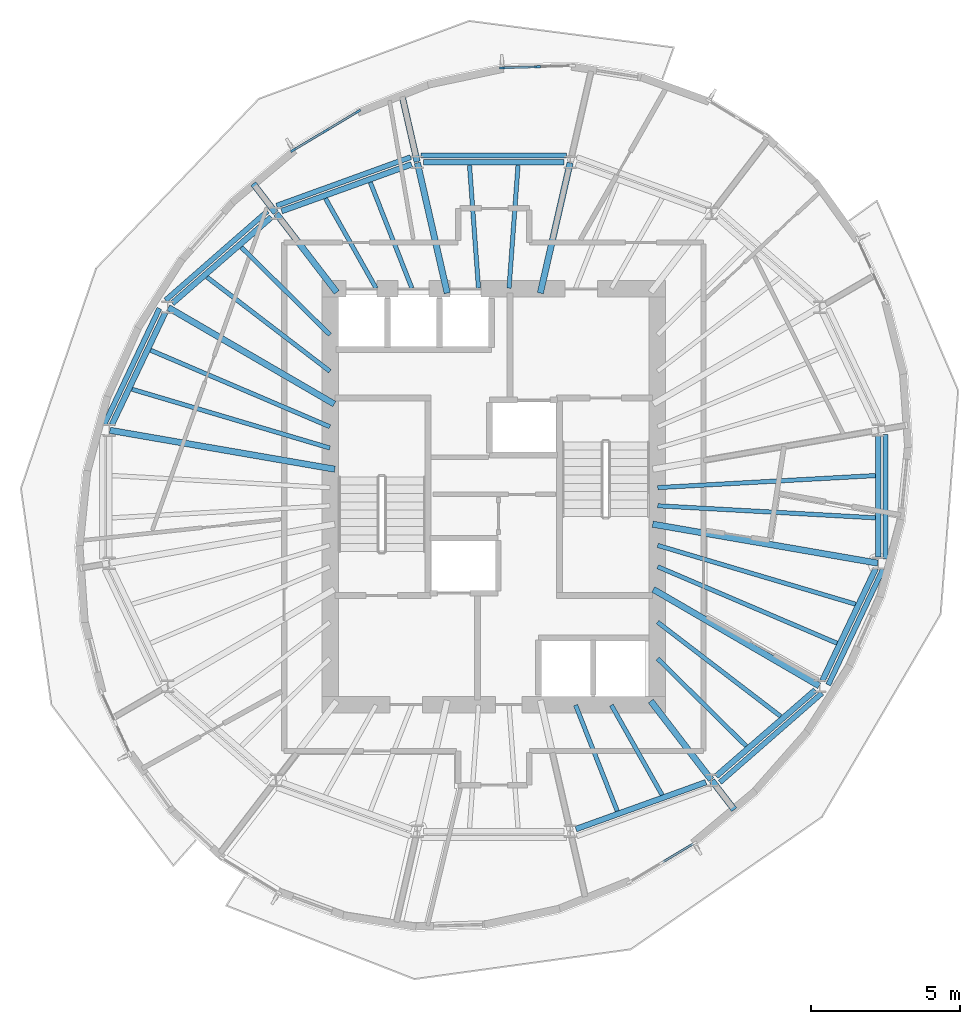
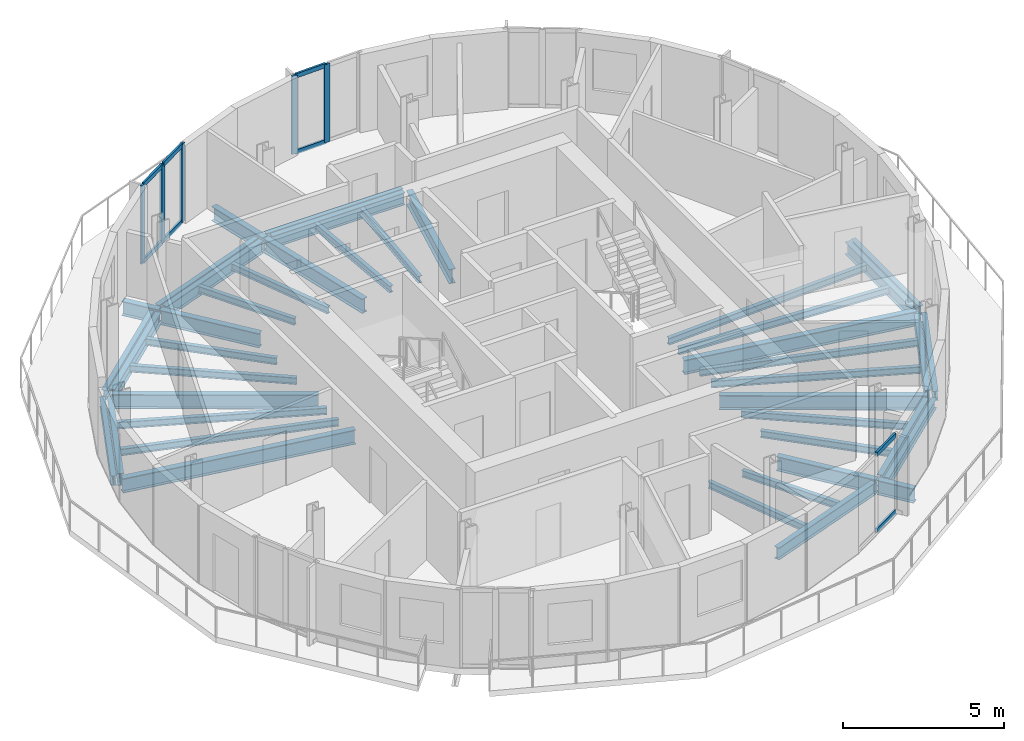
# One storey, part 2 of 11: 42 beams, 13 members, 3 elements without a shape of their own.
"""IFC4 building model written with IfcOpenShell, lengths in metres."""

import ifcopenshell
import ifcopenshell.guid

model = None  # the IFC model being written
_history = None  # IfcOwnerHistory: only IFC2X3 demands one
_inside = {}  # id of a spatial element -> (the spatial element, [elements in it])
_under = {}  # id of a project, library or spatial element -> (it, [spatial elements below it])
_declared = {}  # id of a project -> (the project, [libraries it declares])
_typed = {}  # id of a type object -> (the type object, [elements of that type])
_made_of = {}  # id of a material, layer set ... -> (it, [elements and type objects made of it])


def new_model(schema):
    """Start an empty IFC model of exactly this schema.

    Asked for "IFC4X3", IfcOpenShell would pick the latest addendum, in which some entities
    have other attributes; the version numbers below select the first issue.
    IFC2X3 requires an IfcOwnerHistory on every rooted entity: one is made here for all.
    """
    global model, _history
    if schema == "IFC4X3":
        model = ifcopenshell.file(schema_version=(4, 3, 0, 0))
    else:
        model = ifcopenshell.file(schema=schema)
    _inside.clear()
    _under.clear()
    _declared.clear()
    _typed.clear()
    _made_of.clear()
    _history = None
    if model.schema == "IFC2X3":
        org = make("IfcOrganization", Name="unknown")
        user = make(
            "IfcPersonAndOrganization",
            ThePerson=make("IfcPerson", FamilyName="unknown"),
            TheOrganization=org,
        )
        app = make(
            "IfcApplication",
            ApplicationDeveloper=org,
            Version="unknown",
            ApplicationFullName="unknown",
            ApplicationIdentifier="unknown",
        )
        _history = make(
            "IfcOwnerHistory",
            OwningUser=user,
            OwningApplication=app,
            ChangeAction="ADDED",
            CreationDate=0,
        )
    return model


def make(cls, **values):
    """One entity of the class cls with the attributes given. An attribute that is None is left unset."""
    return model.create_entity(
        cls, **{name: value for name, value in values.items() if value is not None}
    )


def rooted(cls, **values):
    """An entity with a GlobalId (a new one), such as an element, a storey or a relation."""
    return make(cls, GlobalId=ifcopenshell.guid.new(), OwnerHistory=_history, **values)


def si_unit(unit_type, name, prefix=None):
    """IfcSIUnit, for example si_unit("LENGTHUNIT", "METRE", prefix="MILLI")."""
    return make("IfcSIUnit", UnitType=unit_type, Prefix=prefix, Name=name)


def assignment(units):
    """IfcUnitAssignment: the units of a project."""
    return None if units is None else make("IfcUnitAssignment", Units=units)


def point(xyz):
    """IfcCartesianPoint."""
    return None if xyz is None else make("IfcCartesianPoint", Coordinates=xyz)


def direction(xyz):
    """IfcDirection."""
    return None if xyz is None else make("IfcDirection", DirectionRatios=xyz)


def frame(location, z_axis=None, x_axis=None):
    """IfcAxis2Placement3D, a coordinate frame: its origin and axes. An axis left out is left unset."""
    return make(
        "IfcAxis2Placement3D",
        Location=point(location),
        Axis=direction(z_axis),
        RefDirection=direction(x_axis),
    )


def frame_2d(location, x_axis=None):
    """IfcAxis2Placement2D, a coordinate frame in the plane: its origin and x axis."""
    return make(
        "IfcAxis2Placement2D", Location=point(location), RefDirection=direction(x_axis)
    )


def origin():
    """The frame at (0, 0, 0) with its axes left unset."""
    return frame((0.0, 0.0, 0.0))


def origin_2d():
    """The frame at (0, 0) in the plane with its x axis left unset."""
    return frame_2d((0.0, 0.0))


def place(relative_to, where):
    """IfcLocalPlacement: puts the frame where relative to a parent placement (None: the world)."""
    return make(
        "IfcLocalPlacement", PlacementRelTo=relative_to, RelativePlacement=where
    )


def context(
    kind, dimensions, precision=None, world=None, true_north=None, identifier=None
):
    """IfcGeometricRepresentationContext, for example the 3D "Model" context."""
    return make(
        "IfcGeometricRepresentationContext",
        ContextIdentifier=identifier,
        ContextType=kind,
        CoordinateSpaceDimension=dimensions,
        Precision=precision,
        WorldCoordinateSystem=world,
        TrueNorth=true_north,
    )


def subcontext(parent, identifier, kind, view, scale=None):
    """IfcGeometricRepresentationSubContext, for example "Body" below "Model"."""
    return make(
        "IfcGeometricRepresentationSubContext",
        ContextIdentifier=identifier,
        ContextType=kind,
        ParentContext=parent,
        TargetScale=scale,
        TargetView=view,
    )


def project(units=None, contexts=None):
    """IfcProject with its units and contexts."""
    return rooted(
        "IfcProject",
        Name="project",
        RepresentationContexts=contexts,
        UnitsInContext=assignment(units),
    )


def spatial(cls, under=None, at=None, **own):
    """A site, building, storey or space (cls), placed at a placement, below another one or the project."""
    s = rooted(cls, ObjectPlacement=at, **own)
    if under is not None:
        _under.setdefault(under.id(), (under, []))[1].append(s)
    return s


def profile(cls, at=None, kind="AREA", **sizes):
    """A parametric profile (cls). Its sizes go by their IFC names, for example OverallWidth=200.0."""
    return make(cls, ProfileType=kind, Position=at, **sizes)


def rectangle(**sizes):
    """IfcRectangleProfileDef."""
    return profile("IfcRectangleProfileDef", **sizes)


def i_section(**sizes):
    """IfcIShapeProfileDef."""
    return profile("IfcIShapeProfileDef", **sizes)


def extrude(swept, where, along, depth):
    """IfcExtrudedAreaSolid: the profile swept, set in the frame where, extruded along a direction by depth."""
    return make(
        "IfcExtrudedAreaSolid",
        SweptArea=swept,
        Position=where,
        ExtrudedDirection=direction(along),
        Depth=depth,
    )


def shape(context_of_items, identifier, shape_type, items):
    """IfcShapeRepresentation: the items that make up one representation, for example the "Body"."""
    return make(
        "IfcShapeRepresentation",
        ContextOfItems=context_of_items,
        RepresentationIdentifier=identifier,
        RepresentationType=shape_type,
        Items=items,
    )


def material(Name=None, Category=None):
    """IfcMaterial."""
    return make("IfcMaterial", Name=Name, Category=Category)


def material_profile(
    of_material, cross_section, Name=None, Category=None, Priority=None
):
    """IfcMaterialProfile: a cross section and its material."""
    return make(
        "IfcMaterialProfile",
        Name=Name,
        Material=of_material,
        Profile=cross_section,
        Priority=Priority,
        Category=Category,
    )


def profile_set(profiles, Name=None, composite=None):
    """IfcMaterialProfileSet."""
    return make(
        "IfcMaterialProfileSet",
        Name=Name,
        MaterialProfiles=profiles,
        CompositeProfile=composite,
    )


def made_of(thing, what):
    """Note that an element or type object is made of a material, layer set ...; save() writes the relation."""
    if what is not None:
        _made_of.setdefault(what.id(), (what, []))[1].append(thing)
    return thing


def type_object(cls, material=None, **own):
    """A type object (cls), such as IfcWallType, which elements share."""
    return made_of(rooted(cls, **own), material)


def element(
    cls,
    number,
    at=None,
    inside=None,
    cuts=None,
    type_object=None,
    material=None,
    context=None,
    identifier="Body",
    shape_type=None,
    held_by="IfcProductDefinitionShape",
    body=None,
    shapes=None,
    **own,
):
    """One element of the class cls, such as IfcWall. Its Tag is "e" and its number.

    at: its placement. inside: the storey or other place that contains it. cuts: it is an
    opening in that element (IfcRelVoidsElement). A single representation is given by context,
    identifier, shape_type and body (its items); several are given by shapes. held_by: the class
    of the entity that holds the representations. save() writes the other relations.
    """
    e = rooted(cls, Tag="e%d" % number, ObjectPlacement=at, **own)
    if body is not None:
        shapes = [shape(context, identifier, shape_type, body)]
    if shapes is not None:
        e.Representation = make(held_by, Representations=shapes)
    if inside is not None:
        _inside.setdefault(inside.id(), (inside, []))[1].append(e)
    if cuts is not None:
        rooted(
            "IfcRelVoidsElement", RelatingBuildingElement=cuts, RelatedOpeningElement=e
        )
    if type_object is not None:
        _typed.setdefault(type_object.id(), (type_object, []))[1].append(e)
    return made_of(e, material)


def aggregate(whole, parts):
    """IfcRelAggregates: a whole, such as a stair, and the parts it consists of."""
    return rooted("IfcRelAggregates", RelatingObject=whole, RelatedObjects=parts)


def save(model, path):
    """Write the relations noted so far, then the file.

    IfcRelAggregates (storeys below a building ...), IfcRelContainedInSpatialStructure (elements
    in a storey), IfcRelDefinesByType, IfcRelAssociatesMaterial and IfcRelDeclares: one each for
    every whole, place, type object, material and project.
    """
    for whole, parts in _under.values():
        aggregate(whole, parts)
    for where, things in _inside.values():
        rooted(
            "IfcRelContainedInSpatialStructure",
            RelatedElements=things,
            RelatingStructure=where,
        )
    for kind, things in _typed.values():
        rooted("IfcRelDefinesByType", RelatedObjects=things, RelatingType=kind)
    for what, things in _made_of.values():
        rooted("IfcRelAssociatesMaterial", RelatedObjects=things, RelatingMaterial=what)
    for by, libraries in _declared.values():
        rooted("IfcRelDeclares", RelatingContext=by, RelatedDefinitions=libraries)
    model.write(path)


model = new_model("IFC4")

# Units and contexts
model_context = context("Model", 3, precision=1e-05, world=origin(), true_north=direction((0.0, 1.0)))
body_context = subcontext(model_context, "Body", "Model", "MODEL_VIEW")
ifc_project = project(units=[si_unit("LENGTHUNIT", "METRE"), si_unit("AREAUNIT", "SQUARE_METRE"), si_unit("VOLUMEUNIT", "CUBIC_METRE"), si_unit("PLANEANGLEUNIT", "RADIAN"), si_unit("MASSUNIT", "GRAM", prefix="KILO")], contexts=[model_context])

# Site, building, storey
site_placement = place(None, origin())
site = spatial("IfcSite", under=ifc_project, at=site_placement, CompositionType="ELEMENT")
building_placement = place(site_placement, origin())
building = spatial("IfcBuilding", under=site, at=building_placement, Name="Veldorim Arch Residences", CompositionType="ELEMENT")
storey_placement = place(building_placement, frame((0.0, 0.0, 214.239990234375)))
storey = spatial("IfcBuildingStorey", under=building, at=storey_placement, Name="L64", CompositionType="ELEMENT", Elevation=214.239990234375)

# Beams
ifc_material_1 = material(Name="Steel S355", Category="steel")
ifc_material_profile_1 = material_profile(ifc_material_1, i_section(OverallWidth=0.2119140625, OverallDepth=0.54443359375, WebThickness=0.0126953125, FlangeThickness=0.021240234375, at=origin_2d()), Name="UB533x210x122")
ifc_profile_set_1 = profile_set([ifc_material_profile_1], Name="Steel S355")
beam_type_1 = type_object("IfcBeamType", Name="Structural Steel Beam UB533x210x122", PredefinedType="BEAM", material=ifc_profile_set_1)
for number, where, z_axis, x_axis, name in (
    (1, (33.567626953125, 30.853759765625, -0.51220703125), (0.222952976993, 0.97482920045, 0.0), (-0.97482920045, 0.222952976993, 0.0), "L64 radial floor girder 04"),
    (2, (30.432373046875, 30.853759765625, -0.51220703125), (-0.222952976993, 0.97482920045, 0.0), (-0.97482920045, -0.222952976993, 0.0), "L64 radial floor girder 05"),
):
    element("IfcBeam", number, at=place(storey_placement, frame(where, z_axis=z_axis, x_axis=x_axis)), inside=storey, type_object=beam_type_1, Name=name, PredefinedType="BEAM", context=body_context, shape_type="SweptSolid", body=[
        extrude(i_section(OverallWidth=0.2119140625, OverallDepth=0.54443359375, WebThickness=0.0126953125, FlangeThickness=0.021240234375, at=origin_2d()), origin(), (0.0, 0.0, 1.0), 4.49951171875),
    ])
beam_1_placement = place(storey_placement, frame((29.42041015625, 35.27880859375, -0.51220703125), z_axis=(-0.222989981251, 0.974820736475, 0.0), x_axis=(-0.974820736475, -0.222989981251, 0.0)))
element("IfcBeam", 3, at=beam_1_placement, inside=storey, type_object=beam_type_1, Name="L64 radial edge cantilever girder 05", PredefinedType="BEAM", context=body_context, shape_type="SweptSolid", body=[
    extrude(i_section(OverallWidth=0.2119140625, OverallDepth=0.54443359375, WebThickness=0.0126953125, FlangeThickness=0.021240234375, at=origin_2d()), origin(), (0.0, 0.0, 1.0), 2.32763671875),
])
beam_2_placement = place(storey_placement, frame((26.71337890625, 30.881103515625, -0.51220703125), z_axis=(-0.609258442308, 0.792971721108, 0.0), x_axis=(-0.792971721108, -0.609258442308, 0.0)))
element("IfcBeam", 4, at=beam_2_placement, inside=storey, type_object=beam_type_1, Name="L64 radial floor girder 06", PredefinedType="BEAM", context=body_context, shape_type="SweptSolid", body=[
    extrude(i_section(OverallWidth=0.2119140625, OverallDepth=0.54443359375, WebThickness=0.0126953125, FlangeThickness=0.021240234375, at=origin_2d()), origin(), (0.0, 0.0, 1.0), 3.339599609375),
])
beam_3_placement = place(storey_placement, frame((24.654296875, 33.561279296875, -0.51220703125), z_axis=(-0.609308621958, 0.792933164401, 0.0), x_axis=(-0.792933164401, -0.609308621958, 0.0)))
element("IfcBeam", 5, at=beam_3_placement, inside=storey, type_object=beam_type_1, Name="L64 radial edge cantilever girder 06", PredefinedType="BEAM", context=body_context, shape_type="SweptSolid", body=[
    extrude(i_section(OverallWidth=0.2119140625, OverallDepth=0.54443359375, WebThickness=0.0126953125, FlangeThickness=0.021240234375, at=origin_2d()), origin(), (0.0, 0.0, 1.0), 1.232421875),
])
beam_4_placement = place(storey_placement, frame((26.629638671875, 27.12060546875, -0.51220703125), z_axis=(-0.864595736304, 0.502468121142, 0.0), x_axis=(-0.502468121142, -0.864595736304, 0.0)))
element("IfcBeam", 6, at=beam_4_placement, inside=storey, type_object=beam_type_1, Name="L64 radial floor girder 07", PredefinedType="BEAM", context=body_context, shape_type="SweptSolid", body=[
    extrude(i_section(OverallWidth=0.2119140625, OverallDepth=0.54443359375, WebThickness=0.0126953125, FlangeThickness=0.021240234375, at=origin_2d()), origin(), (0.0, 0.0, 1.0), 6.462646484375),
])
beam_5_placement = place(storey_placement, frame((26.647705078125, 24.92578125, -0.51220703125), z_axis=(-0.985364974081, 0.170457818401, 0.0), x_axis=(-0.170457818401, -0.985364974081, 0.0)))
element("IfcBeam", 7, at=beam_5_placement, inside=storey, type_object=beam_type_1, Name="L64 radial floor girder 08", PredefinedType="BEAM", context=body_context, shape_type="SweptSolid", body=[
    extrude(i_section(OverallWidth=0.2119140625, OverallDepth=0.54443359375, WebThickness=0.0126953125, FlangeThickness=0.021240234375, at=origin_2d()), origin(), (0.0, 0.0, 1.0), 7.68701171875),
])
beam_6_placement = place(storey_placement, frame((37.28662109375, 17.118896484375, -0.51220703125), z_axis=(0.609258442308, -0.792971721108, 0.0), x_axis=(0.792971721108, 0.609258442308, 0.0)))
element("IfcBeam", 8, at=beam_6_placement, inside=storey, type_object=beam_type_1, Name="L64 radial floor girder 14", PredefinedType="BEAM", context=body_context, shape_type="SweptSolid", body=[
    extrude(i_section(OverallWidth=0.2119140625, OverallDepth=0.54443359375, WebThickness=0.0126953125, FlangeThickness=0.021240234375, at=origin_2d()), origin(), (0.0, 0.0, 1.0), 3.339599609375),
])
beam_7_placement = place(storey_placement, frame((39.345703125, 14.438720703125, -0.51220703125), z_axis=(0.609308621958, -0.792933164401, 0.0), x_axis=(0.792933164401, 0.609308621958, 0.0)))
element("IfcBeam", 9, at=beam_7_placement, inside=storey, type_object=beam_type_1, Name="L64 radial edge cantilever girder 14", PredefinedType="BEAM", context=body_context, shape_type="SweptSolid", body=[
    extrude(i_section(OverallWidth=0.2119140625, OverallDepth=0.54443359375, WebThickness=0.0126953125, FlangeThickness=0.021240234375, at=origin_2d()), origin(), (0.0, 0.0, 1.0), 1.232421875),
])
beam_8_placement = place(storey_placement, frame((37.370361328125, 20.87939453125, -0.51220703125), z_axis=(0.864595736304, -0.502468121142, 0.0), x_axis=(0.502468121142, 0.864595736304, 0.0)))
element("IfcBeam", 10, at=beam_8_placement, inside=storey, type_object=beam_type_1, Name="L64 radial floor girder 15", PredefinedType="BEAM", context=body_context, shape_type="SweptSolid", body=[
    extrude(i_section(OverallWidth=0.2119140625, OverallDepth=0.54443359375, WebThickness=0.0126953125, FlangeThickness=0.021240234375, at=origin_2d()), origin(), (0.0, 0.0, 1.0), 6.462646484375),
])
beam_9_placement = place(storey_placement, frame((37.352294921875, 23.07421875, -0.51220703125), z_axis=(0.985364974081, -0.170457818401, 0.0), x_axis=(0.170457818401, 0.985364974081, 0.0)))
element("IfcBeam", 11, at=beam_9_placement, inside=storey, type_object=beam_type_1, Name="L64 radial floor girder 16", PredefinedType="BEAM", context=body_context, shape_type="SweptSolid", body=[
    extrude(i_section(OverallWidth=0.2119140625, OverallDepth=0.54443359375, WebThickness=0.0126953125, FlangeThickness=0.021240234375, at=origin_2d()), origin(), (0.0, 0.0, 1.0), 7.68701171875),
])
ifc_material_2 = material(Name="Steel S355", Category="steel")
ifc_material_profile_2 = material_profile(ifc_material_2, i_section(OverallWidth=0.146484375, OverallDepth=0.256103515625, WebThickness=0.00634765625, FlangeThickness=0.010986328125, at=origin_2d()), Name="UB254x146x37")
ifc_profile_set_2 = profile_set([ifc_material_profile_2], Name="Steel S355")
beam_type_2 = type_object("IfcBeamType", Name="Structural Steel Joist UB254x146x37", PredefinedType="JOIST", material=ifc_profile_set_2)
for number, where, z_axis, x_axis, name in (
    (12, (32.513916015625, 31.02001953125, -0.367919921875), (0.072985625899, 0.997332992742, 0.0), (-0.997332992742, 0.072985625899, 0.0), "L64 secondary radial floor joist 04-1"),
    (13, (31.486083984375, 31.02001953125, -0.367919921875), (-0.072985625899, 0.997332992742, 0.0), (-0.997332992742, -0.072985625899, 0.0), "L64 secondary radial floor joist 04-2"),
):
    element("IfcBeam", number, at=place(storey_placement, frame(where, z_axis=z_axis, x_axis=x_axis)), inside=storey, type_object=beam_type_2, Name=name, PredefinedType="JOIST", context=body_context, shape_type="SweptSolid", body=[
        extrude(i_section(OverallWidth=0.146484375, OverallDepth=0.256103515625, WebThickness=0.00634765625, FlangeThickness=0.010986328125, at=origin_2d()), origin(), (0.0, 0.0, 1.0), 4.151123046875),
    ])
beam_10_placement = place(storey_placement, frame((29.24365234375, 31.0185546875, -0.367919921875), z_axis=(-0.365581383042, 0.930779379001, 0.0), x_axis=(-0.930779379001, -0.365581383042, 0.0)))
element("IfcBeam", 14, at=beam_10_placement, inside=storey, type_object=beam_type_2, Name="L64 secondary radial floor joist 05-1", PredefinedType="JOIST", context=body_context, shape_type="SweptSolid", body=[
    extrude(i_section(OverallWidth=0.146484375, OverallDepth=0.256103515625, WebThickness=0.00634765625, FlangeThickness=0.010986328125, at=origin_2d()), origin(), (0.0, 0.0, 1.0), 3.83056640625),
])
beam_11_placement = place(storey_placement, frame((28.039794921875, 31.017333984375, -0.367919921875), z_axis=(-0.491452469585, 0.870904397818, 0.0), x_axis=(-0.870904397818, -0.491452469585, 0.0)))
element("IfcBeam", 15, at=beam_11_placement, inside=storey, type_object=beam_type_2, Name="L64 secondary radial floor joist 05-2", PredefinedType="JOIST", context=body_context, shape_type="SweptSolid", body=[
    extrude(i_section(OverallWidth=0.146484375, OverallDepth=0.256103515625, WebThickness=0.00634765625, FlangeThickness=0.010986328125, at=origin_2d()), origin(), (0.0, 0.0, 1.0), 3.472412109375),
])
beam_12_placement = place(storey_placement, frame((26.48583984375, 29.44775390625, -0.367919921875), z_axis=(-0.711396725432, 0.702790650937, 0.0), x_axis=(-0.702790650937, -0.711396725432, 0.0)))
element("IfcBeam", 16, at=beam_12_placement, inside=storey, type_object=beam_type_2, Name="L64 secondary radial floor joist 06-1", PredefinedType="JOIST", context=body_context, shape_type="SweptSolid", body=[
    extrude(i_section(OverallWidth=0.146484375, OverallDepth=0.256103515625, WebThickness=0.00634765625, FlangeThickness=0.010986328125, at=origin_2d()), origin(), (0.0, 0.0, 1.0), 4.198486328125),
])
beam_13_placement = place(storey_placement, frame((26.484130859375, 28.222900390625, -0.367919921875), z_axis=(-0.794013672216, 0.607899899929, 0.0), x_axis=(-0.607899899929, -0.794013672216, 0.0)))
element("IfcBeam", 17, at=beam_13_placement, inside=storey, type_object=beam_type_2, Name="L64 secondary radial floor joist 06-2", PredefinedType="JOIST", context=body_context, shape_type="SweptSolid", body=[
    extrude(i_section(OverallWidth=0.146484375, OverallDepth=0.256103515625, WebThickness=0.00634765625, FlangeThickness=0.010986328125, at=origin_2d()), origin(), (0.0, 0.0, 1.0), 5.217041015625),
])
beam_14_placement = place(storey_placement, frame((26.481689453125, 26.355712890625, -0.367919921875), z_axis=(-0.919725161652, 0.392562895629, 0.0), x_axis=(-0.392562895629, -0.919725161652, 0.0)))
element("IfcBeam", 18, at=beam_14_placement, inside=storey, type_object=beam_type_2, Name="L64 secondary radial floor joist 07-1", PredefinedType="JOIST", context=body_context, shape_type="SweptSolid", body=[
    extrude(i_section(OverallWidth=0.146484375, OverallDepth=0.256103515625, WebThickness=0.00634765625, FlangeThickness=0.010986328125, at=origin_2d()), origin(), (0.0, 0.0, 1.0), 6.5625),
])
beam_15_placement = place(storey_placement, frame((26.480712890625, 25.639404296875, -0.367919921875), z_axis=(-0.958594432792, 0.284774846889, 0.0), x_axis=(-0.284774846889, -0.958594432792, 0.0)))
element("IfcBeam", 19, at=beam_15_placement, inside=storey, type_object=beam_type_2, Name="L64 secondary radial floor joist 07-2", PredefinedType="JOIST", context=body_context, shape_type="SweptSolid", body=[
    extrude(i_section(OverallWidth=0.146484375, OverallDepth=0.256103515625, WebThickness=0.00634765625, FlangeThickness=0.010986328125, at=origin_2d()), origin(), (0.0, 0.0, 1.0), 6.949462890625),
])
beam_16_placement = place(storey_placement, frame((34.75634765625, 16.9814453125, -0.367919921875), z_axis=(0.365581383042, -0.930779379001, 0.0), x_axis=(0.930779379001, 0.365581383042, 0.0)))
element("IfcBeam", 20, at=beam_16_placement, inside=storey, type_object=beam_type_2, Name="L64 secondary radial floor joist 13-1", PredefinedType="JOIST", context=body_context, shape_type="SweptSolid", body=[
    extrude(i_section(OverallWidth=0.146484375, OverallDepth=0.256103515625, WebThickness=0.00634765625, FlangeThickness=0.010986328125, at=origin_2d()), origin(), (0.0, 0.0, 1.0), 3.83056640625),
])
beam_17_placement = place(storey_placement, frame((35.960205078125, 16.982666015625, -0.367919921875), z_axis=(0.491452469585, -0.870904397818, 0.0), x_axis=(0.870904397818, 0.491452469585, 0.0)))
element("IfcBeam", 21, at=beam_17_placement, inside=storey, type_object=beam_type_2, Name="L64 secondary radial floor joist 13-2", PredefinedType="JOIST", context=body_context, shape_type="SweptSolid", body=[
    extrude(i_section(OverallWidth=0.146484375, OverallDepth=0.256103515625, WebThickness=0.00634765625, FlangeThickness=0.010986328125, at=origin_2d()), origin(), (0.0, 0.0, 1.0), 3.472412109375),
])
beam_18_placement = place(storey_placement, frame((37.51416015625, 18.55224609375, -0.367919921875), z_axis=(0.711396725432, -0.702790650937, 0.0), x_axis=(0.702790650937, 0.711396725432, 0.0)))
element("IfcBeam", 22, at=beam_18_placement, inside=storey, type_object=beam_type_2, Name="L64 secondary radial floor joist 14-1", PredefinedType="JOIST", context=body_context, shape_type="SweptSolid", body=[
    extrude(i_section(OverallWidth=0.146484375, OverallDepth=0.256103515625, WebThickness=0.00634765625, FlangeThickness=0.010986328125, at=origin_2d()), origin(), (0.0, 0.0, 1.0), 4.198486328125),
])
beam_19_placement = place(storey_placement, frame((37.515869140625, 19.777099609375, -0.367919921875), z_axis=(0.794013672216, -0.607899899929, 0.0), x_axis=(0.607899899929, 0.794013672216, 0.0)))
element("IfcBeam", 23, at=beam_19_placement, inside=storey, type_object=beam_type_2, Name="L64 secondary radial floor joist 14-2", PredefinedType="JOIST", context=body_context, shape_type="SweptSolid", body=[
    extrude(i_section(OverallWidth=0.146484375, OverallDepth=0.256103515625, WebThickness=0.00634765625, FlangeThickness=0.010986328125, at=origin_2d()), origin(), (0.0, 0.0, 1.0), 5.217041015625),
])
beam_20_placement = place(storey_placement, frame((37.518310546875, 21.644287109375, -0.367919921875), z_axis=(0.919725161652, -0.392562895629, 0.0), x_axis=(0.392562895629, 0.919725161652, 0.0)))
element("IfcBeam", 24, at=beam_20_placement, inside=storey, type_object=beam_type_2, Name="L64 secondary radial floor joist 15-1", PredefinedType="JOIST", context=body_context, shape_type="SweptSolid", body=[
    extrude(i_section(OverallWidth=0.146484375, OverallDepth=0.256103515625, WebThickness=0.00634765625, FlangeThickness=0.010986328125, at=origin_2d()), origin(), (0.0, 0.0, 1.0), 6.5625),
])
beam_21_placement = place(storey_placement, frame((37.519287109375, 22.360595703125, -0.367919921875), z_axis=(0.958594432792, -0.284774846889, 0.0), x_axis=(0.284774846889, 0.958594432792, 0.0)))
element("IfcBeam", 25, at=beam_21_placement, inside=storey, type_object=beam_type_2, Name="L64 secondary radial floor joist 15-2", PredefinedType="JOIST", context=body_context, shape_type="SweptSolid", body=[
    extrude(i_section(OverallWidth=0.146484375, OverallDepth=0.256103515625, WebThickness=0.00634765625, FlangeThickness=0.010986328125, at=origin_2d()), origin(), (0.0, 0.0, 1.0), 6.949462890625),
])
for number, where, z_axis, x_axis, name in (
    (26, (37.52001953125, 23.6943359375, -0.367919921875), (0.998472000884, -0.055259962464, 0.0), (0.055259962464, 0.998472000884, 0.0), "L64 secondary radial floor joist 16-1"),
    (27, (37.52001953125, 24.3056640625, -0.367919921875), (0.998472000884, 0.055259962464, 0.0), (-0.055259962464, 0.998472000884, 0.0), "L64 secondary radial floor joist 16-2"),
):
    element("IfcBeam", number, at=place(storey_placement, frame(where, z_axis=z_axis, x_axis=x_axis)), inside=storey, type_object=beam_type_2, Name=name, PredefinedType="JOIST", context=body_context, shape_type="SweptSolid", body=[
        extrude(i_section(OverallWidth=0.146484375, OverallDepth=0.256103515625, WebThickness=0.00634765625, FlangeThickness=0.010986328125, at=origin_2d()), origin(), (0.0, 0.0, 1.0), 7.33837890625),
    ])
ifc_material_3 = material(Name="Steel S355", Category="steel")
ifc_material_profile_3 = material_profile(ifc_material_3, i_section(OverallWidth=0.172119140625, OverallDepth=0.35791015625, WebThickness=0.008056640625, FlangeThickness=0.012939453125, at=origin_2d()), Name="UB356x171x57")
ifc_profile_set_3 = profile_set([ifc_material_profile_3], Name="Steel S355")
beam_type_3 = type_object("IfcBeamType", Name="Structural Steel Spandrel UB356x171x57", PredefinedType="SPANDREL", material=ifc_profile_set_3)
beam_22_placement = place(storey_placement, frame((34.44970703125, 35.493408203125, -0.43896484375), z_axis=(-1.0, 0.0, 0.0), x_axis=(0.0, -1.0, 0.0)))
element("IfcBeam", 28, at=beam_22_placement, inside=storey, type_object=beam_type_3, Name="L64 perimeter chord spandrel beam 04", PredefinedType="SPANDREL", context=body_context, shape_type="SweptSolid", body=[
    extrude(i_section(OverallWidth=0.172119140625, OverallDepth=0.35791015625, WebThickness=0.008056640625, FlangeThickness=0.012939453125, at=origin_2d()), origin(), (0.0, 0.0, 1.0), 4.8994140625),
])
beam_23_placement = place(storey_placement, frame((29.202880859375, 35.432373046875, -0.43896484375), z_axis=(-0.940178823137, -0.340681347486, 0.0), x_axis=(0.340681347486, -0.940178823137, 0.0)))
element("IfcBeam", 29, at=beam_23_placement, inside=storey, type_object=beam_type_3, Name="L64 perimeter chord spandrel beam 05", PredefinedType="SPANDREL", context=body_context, shape_type="SweptSolid", body=[
    extrude(i_section(OverallWidth=0.172119140625, OverallDepth=0.35791015625, WebThickness=0.008056640625, FlangeThickness=0.012939453125, at=origin_2d()), origin(), (0.0, 0.0, 1.0), 4.80126953125),
])
beam_24_placement = place(storey_placement, frame((24.385498046875, 33.617919921875, -0.43896484375), z_axis=(-0.752868439096, -0.658171036596, 0.0), x_axis=(0.658171036596, -0.752868439096, 0.0)))
element("IfcBeam", 30, at=beam_24_placement, inside=storey, type_object=beam_type_3, Name="L64 perimeter chord spandrel beam 06", PredefinedType="SPANDREL", context=body_context, shape_type="SweptSolid", body=[
    extrude(i_section(OverallWidth=0.172119140625, OverallDepth=0.35791015625, WebThickness=0.008056640625, FlangeThickness=0.012939453125, at=origin_2d()), origin(), (0.0, 0.0, 1.0), 4.560791015625),
])
beam_25_placement = place(storey_placement, frame((20.740478515625, 30.336669921875, -0.43896484375), z_axis=(-0.428468601304, -0.903556670994, 0.0), x_axis=(0.903556670994, -0.428468601304, 0.0)))
element("IfcBeam", 31, at=beam_25_placement, inside=storey, type_object=beam_type_3, Name="L64 perimeter chord spandrel beam 07", PredefinedType="SPANDREL", context=body_context, shape_type="SweptSolid", body=[
    extrude(i_section(OverallWidth=0.172119140625, OverallDepth=0.35791015625, WebThickness=0.008056640625, FlangeThickness=0.012939453125, at=origin_2d()), origin(), (0.0, 0.0, 1.0), 4.31005859375),
])
beam_26_placement = place(storey_placement, frame((39.614501953125, 14.382080078125, -0.43896484375), z_axis=(0.752868439096, 0.658171036596, 0.0), x_axis=(-0.658171036596, 0.752868439096, 0.0)))
element("IfcBeam", 32, at=beam_26_placement, inside=storey, type_object=beam_type_3, Name="L64 perimeter chord spandrel beam 14", PredefinedType="SPANDREL", context=body_context, shape_type="SweptSolid", body=[
    extrude(i_section(OverallWidth=0.172119140625, OverallDepth=0.35791015625, WebThickness=0.008056640625, FlangeThickness=0.012939453125, at=origin_2d()), origin(), (0.0, 0.0, 1.0), 4.560791015625),
])
beam_27_placement = place(storey_placement, frame((43.259521484375, 17.663330078125, -0.43896484375), z_axis=(0.428468601304, 0.903556670994, 0.0), x_axis=(-0.903556670994, 0.428468601304, 0.0)))
element("IfcBeam", 33, at=beam_27_placement, inside=storey, type_object=beam_type_3, Name="L64 perimeter chord spandrel beam 15", PredefinedType="SPANDREL", context=body_context, shape_type="SweptSolid", body=[
    extrude(i_section(OverallWidth=0.172119140625, OverallDepth=0.35791015625, WebThickness=0.008056640625, FlangeThickness=0.012939453125, at=origin_2d()), origin(), (0.0, 0.0, 1.0), 4.31005859375),
])
beam_28_placement = place(storey_placement, frame((45.182861328125, 21.898681640625, -0.43896484375), z_axis=(0.0, 1.0, 0.0), x_axis=(-1.0, 0.0, 0.0)))
element("IfcBeam", 34, at=beam_28_placement, inside=storey, type_object=beam_type_3, Name="L64 perimeter chord spandrel beam 16", PredefinedType="SPANDREL", context=body_context, shape_type="SweptSolid", body=[
    extrude(i_section(OverallWidth=0.172119140625, OverallDepth=0.35791015625, WebThickness=0.008056640625, FlangeThickness=0.012939453125, at=origin_2d()), origin(), (0.0, 0.0, 1.0), 4.20263671875),
])
ifc_material_4 = material(Name="Steel S355", Category="steel")
ifc_material_profile_4 = material_profile(ifc_material_4, i_section(OverallWidth=0.19140625, OverallDepth=0.4599609375, WebThickness=0.010009765625, FlangeThickness=0.01611328125, at=origin_2d()), Name="UB457x191x82")
ifc_profile_set_4 = profile_set([ifc_material_profile_4], Name="Steel S355")
beam_type_4 = type_object("IfcBeamType", Name="Structural Steel Spandrel UB457x191x82", PredefinedType="SPANDREL", material=ifc_profile_set_4)
beam_29_placement = place(storey_placement, frame((34.37158203125, 35.259521484375, -0.469970703125), z_axis=(-1.0, 0.0, 0.0), x_axis=(0.0, -1.0, 0.0)))
element("IfcBeam", 35, at=beam_29_placement, inside=storey, type_object=beam_type_4, Name="L64 perimeter ring tie beam 04", PredefinedType="SPANDREL", context=body_context, shape_type="SweptSolid", body=[
    extrude(i_section(OverallWidth=0.19140625, OverallDepth=0.4599609375, WebThickness=0.010009765625, FlangeThickness=0.01611328125, at=origin_2d()), origin(), (0.0, 0.0, 1.0), 4.7431640625),
])
beam_30_placement = place(storey_placement, frame((29.2333984375, 35.1904296875, -0.469970703125), z_axis=(-0.940819134121, -0.338909068736, 0.0), x_axis=(0.338909068736, -0.940819134121, 0.0)))
element("IfcBeam", 36, at=beam_30_placement, inside=storey, type_object=beam_type_4, Name="L64 perimeter ring tie beam 05", PredefinedType="SPANDREL", context=body_context, shape_type="SweptSolid", body=[
    extrude(i_section(OverallWidth=0.19140625, OverallDepth=0.4599609375, WebThickness=0.010009765625, FlangeThickness=0.01611328125, at=origin_2d()), origin(), (0.0, 0.0, 1.0), 4.650634765625),
])
beam_31_placement = place(storey_placement, frame((24.512939453125, 33.411865234375, -0.469970703125), z_axis=(-0.754534162517, -0.656260769508, 0.0), x_axis=(0.656260769508, -0.754534162517, 0.0)))
element("IfcBeam", 37, at=beam_31_placement, inside=storey, type_object=beam_type_4, Name="L64 perimeter ring tie beam 06", PredefinedType="SPANDREL", context=body_context, shape_type="SweptSolid", body=[
    extrude(i_section(OverallWidth=0.19140625, OverallDepth=0.4599609375, WebThickness=0.010009765625, FlangeThickness=0.01611328125, at=origin_2d()), origin(), (0.0, 0.0, 1.0), 4.419677734375),
])
beam_32_placement = place(storey_placement, frame((20.93701171875, 30.194091796875, -0.469970703125), z_axis=(-0.429992574394, -0.902832424078, 0.0), x_axis=(0.902832424078, -0.429992574394, 0.0)))
element("IfcBeam", 38, at=beam_32_placement, inside=storey, type_object=beam_type_4, Name="L64 perimeter ring tie beam 07", PredefinedType="SPANDREL", context=body_context, shape_type="SweptSolid", body=[
    extrude(i_section(OverallWidth=0.19140625, OverallDepth=0.4599609375, WebThickness=0.010009765625, FlangeThickness=0.01611328125, at=origin_2d()), origin(), (0.0, 0.0, 1.0), 4.176513671875),
])
beam_33_placement = place(storey_placement, frame((34.7666015625, 12.8095703125, -0.469970703125), z_axis=(0.940819134121, 0.338909068736, 0.0), x_axis=(-0.338909068736, 0.940819134121, 0.0)))
element("IfcBeam", 39, at=beam_33_placement, inside=storey, type_object=beam_type_4, Name="L64 perimeter ring tie beam 13", PredefinedType="SPANDREL", context=body_context, shape_type="SweptSolid", body=[
    extrude(i_section(OverallWidth=0.19140625, OverallDepth=0.4599609375, WebThickness=0.010009765625, FlangeThickness=0.01611328125, at=origin_2d()), origin(), (0.0, 0.0, 1.0), 4.650634765625),
])
beam_34_placement = place(storey_placement, frame((39.487060546875, 14.588134765625, -0.469970703125), z_axis=(0.754534162517, 0.656260769508, 0.0), x_axis=(-0.656260769508, 0.754534162517, 0.0)))
element("IfcBeam", 40, at=beam_34_placement, inside=storey, type_object=beam_type_4, Name="L64 perimeter ring tie beam 14", PredefinedType="SPANDREL", context=body_context, shape_type="SweptSolid", body=[
    extrude(i_section(OverallWidth=0.19140625, OverallDepth=0.4599609375, WebThickness=0.010009765625, FlangeThickness=0.01611328125, at=origin_2d()), origin(), (0.0, 0.0, 1.0), 4.419677734375),
])
beam_35_placement = place(storey_placement, frame((43.06298828125, 17.805908203125, -0.469970703125), z_axis=(0.429992574394, 0.902832424078, 0.0), x_axis=(-0.902832424078, 0.429992574394, 0.0)))
element("IfcBeam", 41, at=beam_35_placement, inside=storey, type_object=beam_type_4, Name="L64 perimeter ring tie beam 15", PredefinedType="SPANDREL", context=body_context, shape_type="SweptSolid", body=[
    extrude(i_section(OverallWidth=0.19140625, OverallDepth=0.4599609375, WebThickness=0.010009765625, FlangeThickness=0.01611328125, at=origin_2d()), origin(), (0.0, 0.0, 1.0), 4.176513671875),
])
beam_36_placement = place(storey_placement, frame((44.9462890625, 21.9638671875, -0.469970703125), z_axis=(0.0, 1.0, 0.0), x_axis=(-1.0, 0.0, 0.0)))
element("IfcBeam", 42, at=beam_36_placement, inside=storey, type_object=beam_type_4, Name="L64 perimeter ring tie beam 16", PredefinedType="SPANDREL", context=body_context, shape_type="SweptSolid", body=[
    extrude(i_section(OverallWidth=0.19140625, OverallDepth=0.4599609375, WebThickness=0.010009765625, FlangeThickness=0.01611328125, at=origin_2d()), origin(), (0.0, 0.0, 1.0), 4.072265625),
])

# Curtain wall, members
ifc_material_5 = material(Name="Aluminium", Category="aluminium")
curtain_wall_type = type_object("IfcCurtainWallType", Name="Zone 4 High-Altitude Unitised Curtain Wall", PredefinedType="NOTDEFINED", material=ifc_material_5)
curtain_wall_1_placement = place(storey_placement, origin())
curtain_wall_1 = element("IfcCurtainWall", 43, at=curtain_wall_1_placement, inside=storey, type_object=curtain_wall_type, Name="L64 unitised curtain wall bay 04", PredefinedType="NOTDEFINED")
ifc_material_6 = material(Name="Aluminium", Category="aluminium")
ifc_material_profile_5 = material_profile(ifc_material_6, rectangle(XDim=0.074951171875, YDim=0.195068359375, at=origin_2d()), Name="ALU_MUL_75x195")
ifc_profile_set_5 = profile_set([ifc_material_profile_5], Name="Aluminium")
member_type_1 = type_object("IfcMemberType", Name="Zone 4 High-Altitude Unitised Curtain Wall Mullion 75x195", PredefinedType="MULLION", material=ifc_profile_set_5)
member_1_placement = place(storey_placement, frame((32.285400390625, 38.43603515625, 0.0), z_axis=(0.0, 0.0, 1.0), x_axis=(-0.030834608084, 0.999524500422, 0.0)))
member_1 = element("IfcMember", 44, at=member_1_placement, type_object=member_type_1, Name="CW-Z4 mullion 1", PredefinedType="MULLION", context=body_context, shape_type="SweptSolid", body=[
    extrude(rectangle(XDim=0.074951171875, YDim=0.195068359375, at=origin_2d()), origin(), (0.0, 0.0, 1.0), 2.9599609375),
])
member_2_placement = place(storey_placement, frame((33.468505859375, 38.47265625, 0.0), z_axis=(0.0, 0.0, 1.0), x_axis=(-0.030834608084, 0.999524500422, 0.0)))
member_2 = element("IfcMember", 45, at=member_2_placement, type_object=member_type_1, Name="CW-Z4 mullion 2", PredefinedType="MULLION", context=body_context, shape_type="SweptSolid", body=[
    extrude(rectangle(XDim=0.074951171875, YDim=0.195068359375, at=origin_2d()), origin(), (0.0, 0.0, 1.0), 2.9599609375),
])

curtain_wall_2_placement = place(storey_placement, origin())
curtain_wall_2 = element("IfcCurtainWall", 46, at=curtain_wall_2_placement, inside=storey, type_object=curtain_wall_type, Name="L64 unitised curtain wall bay 07", PredefinedType="NOTDEFINED")
member_3_placement = place(storey_placement, frame((25.251708984375, 35.6689453125, 0.0), z_axis=(0.0, 0.0, 1.0), x_axis=(-0.512816771325, 0.85849808331, 0.0)))
member_3 = element("IfcMember", 47, at=member_3_placement, type_object=member_type_1, Name="CW-Z4 mullion 1", PredefinedType="MULLION", context=body_context, shape_type="SweptSolid", body=[
    extrude(rectangle(XDim=0.074951171875, YDim=0.195068359375, at=origin_2d()), origin(), (0.0, 0.0, 1.0), 2.9599609375),
])
member_4_placement = place(storey_placement, frame((26.340576171875, 36.3193359375, 0.0), z_axis=(0.0, 0.0, 1.0), x_axis=(-0.512816771325, 0.85849808331, 0.0)))
member_4 = element("IfcMember", 48, at=member_4_placement, type_object=member_type_1, Name="CW-Z4 mullion 2", PredefinedType="MULLION", context=body_context, shape_type="SweptSolid", body=[
    extrude(rectangle(XDim=0.074951171875, YDim=0.195068359375, at=origin_2d()), origin(), (0.0, 0.0, 1.0), 2.9599609375),
])
member_5_placement = place(storey_placement, frame((27.429443359375, 36.9697265625, 0.0), z_axis=(0.0, 0.0, 1.0), x_axis=(-0.512816771325, 0.85849808331, 0.0)))
member_5 = element("IfcMember", 49, at=member_5_placement, type_object=member_type_1, Name="CW-Z4 mullion 3", PredefinedType="MULLION", context=body_context, shape_type="SweptSolid", body=[
    extrude(rectangle(XDim=0.074951171875, YDim=0.195068359375, at=origin_2d()), origin(), (0.0, 0.0, 1.0), 2.9599609375),
])

# Member
ifc_material_7 = material(Name="Aluminium", Category="aluminium")
ifc_material_profile_6 = material_profile(ifc_material_7, rectangle(XDim=0.074951171875, YDim=0.1650390625, at=origin_2d()), Name="ALU_TRN_75x165")
ifc_profile_set_6 = profile_set([ifc_material_profile_6], Name="Aluminium")
member_type_2 = type_object("IfcMemberType", Name="Zone 4 High-Altitude Unitised Curtain Wall Transom 75x165", PredefinedType="USERDEFINED", material=ifc_profile_set_6)
member_6_placement = place(storey_placement, frame((32.322998046875, 38.437255859375, 0.03759765625), z_axis=(0.999524459818, 0.030835924278, 0.0), x_axis=(-0.030835924278, 0.999524459818, 0.0)))
member_6 = element("IfcMember", 50, at=member_6_placement, type_object=member_type_2, Name="CW-Z4 transom 1.1", ObjectType="TRANSOM", PredefinedType="USERDEFINED", context=body_context, shape_type="SweptSolid", body=[
    extrude(rectangle(XDim=0.074951171875, YDim=0.1650390625, at=origin_2d()), origin(), (0.0, 0.0, 1.0), 1.1083984375),
])

member_7_placement = place(storey_placement, frame((32.322998046875, 38.437255859375, 2.922607421875), z_axis=(0.999524459818, 0.030835924278, 0.0), x_axis=(-0.030835924278, 0.999524459818, 0.0)))
member_7 = element("IfcMember", 51, at=member_7_placement, type_object=member_type_2, Name="CW-Z4 transom 1.2", ObjectType="TRANSOM", PredefinedType="USERDEFINED", context=body_context, shape_type="SweptSolid", body=[
    extrude(rectangle(XDim=0.074951171875, YDim=0.1650390625, at=origin_2d()), origin(), (0.0, 0.0, 1.0), 1.1083984375),
])

aggregate(curtain_wall_1, [member_1, member_2, member_6, member_7])

member_8_placement = place(storey_placement, frame((25.283935546875, 35.68798828125, 0.03759765625), z_axis=(0.858448189445, 0.512900288593, 0.0), x_axis=(-0.512900288593, 0.858448189445, 0.0)))
member_8 = element("IfcMember", 52, at=member_8_placement, type_object=member_type_2, Name="CW-Z4 transom 1.1", ObjectType="TRANSOM", PredefinedType="USERDEFINED", context=body_context, shape_type="SweptSolid", body=[
    extrude(rectangle(XDim=0.074951171875, YDim=0.1650390625, at=origin_2d()), origin(), (0.0, 0.0, 1.0), 1.193359375),
])

member_9_placement = place(storey_placement, frame((25.283935546875, 35.68798828125, 2.922607421875), z_axis=(0.858448189445, 0.512900288593, 0.0), x_axis=(-0.512900288593, 0.858448189445, 0.0)))
member_9 = element("IfcMember", 53, at=member_9_placement, type_object=member_type_2, Name="CW-Z4 transom 1.2", ObjectType="TRANSOM", PredefinedType="USERDEFINED", context=body_context, shape_type="SweptSolid", body=[
    extrude(rectangle(XDim=0.074951171875, YDim=0.1650390625, at=origin_2d()), origin(), (0.0, 0.0, 1.0), 1.193359375),
])

member_10_placement = place(storey_placement, frame((26.372802734375, 36.33837890625, 0.03759765625), z_axis=(0.858448189445, 0.512900288593, 0.0), x_axis=(-0.512900288593, 0.858448189445, 0.0)))
member_10 = element("IfcMember", 54, at=member_10_placement, type_object=member_type_2, Name="CW-Z4 transom 2.1", ObjectType="TRANSOM", PredefinedType="USERDEFINED", context=body_context, shape_type="SweptSolid", body=[
    extrude(rectangle(XDim=0.074951171875, YDim=0.1650390625, at=origin_2d()), origin(), (0.0, 0.0, 1.0), 1.193359375),
])

member_11_placement = place(storey_placement, frame((26.372802734375, 36.33837890625, 2.922607421875), z_axis=(0.858448189445, 0.512900288593, 0.0), x_axis=(-0.512900288593, 0.858448189445, 0.0)))
member_11 = element("IfcMember", 55, at=member_11_placement, type_object=member_type_2, Name="CW-Z4 transom 2.2", ObjectType="TRANSOM", PredefinedType="USERDEFINED", context=body_context, shape_type="SweptSolid", body=[
    extrude(rectangle(XDim=0.074951171875, YDim=0.1650390625, at=origin_2d()), origin(), (0.0, 0.0, 1.0), 1.193359375),
])

aggregate(curtain_wall_2, [member_3, member_4, member_5, member_8, member_9, member_10, member_11])

# Curtain wall, members
curtain_wall_3_placement = place(storey_placement, origin())
curtain_wall_3 = element("IfcCurtainWall", 56, at=curtain_wall_3_placement, inside=storey, type_object=curtain_wall_type, Name="L64 unitised curtain wall bay 25", PredefinedType="NOTDEFINED")
member_12_placement = place(storey_placement, frame((38.716064453125, 12.31201171875, 0.03759765625), z_axis=(-0.858448189445, -0.512900288593, 0.0), x_axis=(0.512900288593, -0.858448189445, 0.0)))
member_12 = element("IfcMember", 57, at=member_12_placement, type_object=member_type_2, Name="CW-Z4 transom 1.1", ObjectType="TRANSOM", PredefinedType="USERDEFINED", context=body_context, shape_type="SweptSolid", body=[
    extrude(rectangle(XDim=0.074951171875, YDim=0.1650390625, at=origin_2d()), origin(), (0.0, 0.0, 1.0), 1.193359375),
])
member_13_placement = place(storey_placement, frame((38.716064453125, 12.31201171875, 2.922607421875), z_axis=(-0.858448189445, -0.512900288593, 0.0), x_axis=(0.512900288593, -0.858448189445, 0.0)))
member_13 = element("IfcMember", 58, at=member_13_placement, type_object=member_type_2, Name="CW-Z4 transom 1.2", ObjectType="TRANSOM", PredefinedType="USERDEFINED", context=body_context, shape_type="SweptSolid", body=[
    extrude(rectangle(XDim=0.074951171875, YDim=0.1650390625, at=origin_2d()), origin(), (0.0, 0.0, 1.0), 1.193359375),
])
aggregate(curtain_wall_3, [member_12, member_13])

save(model, "model.ifc")
